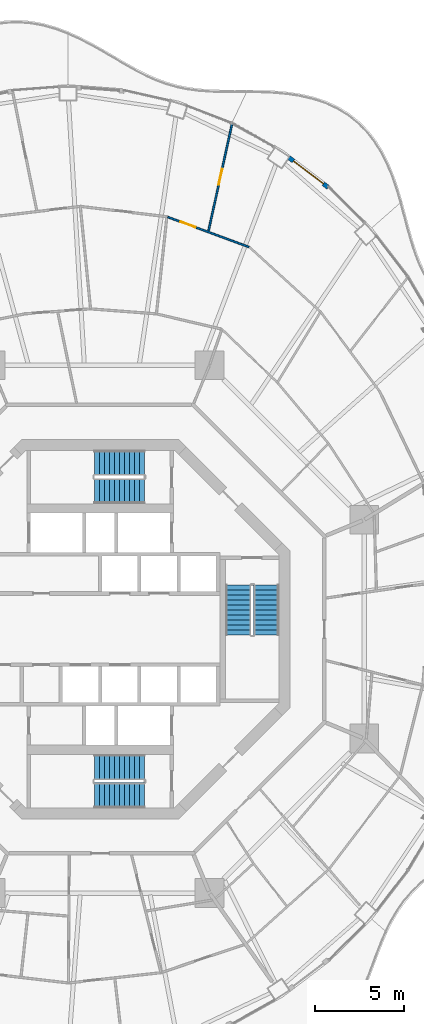
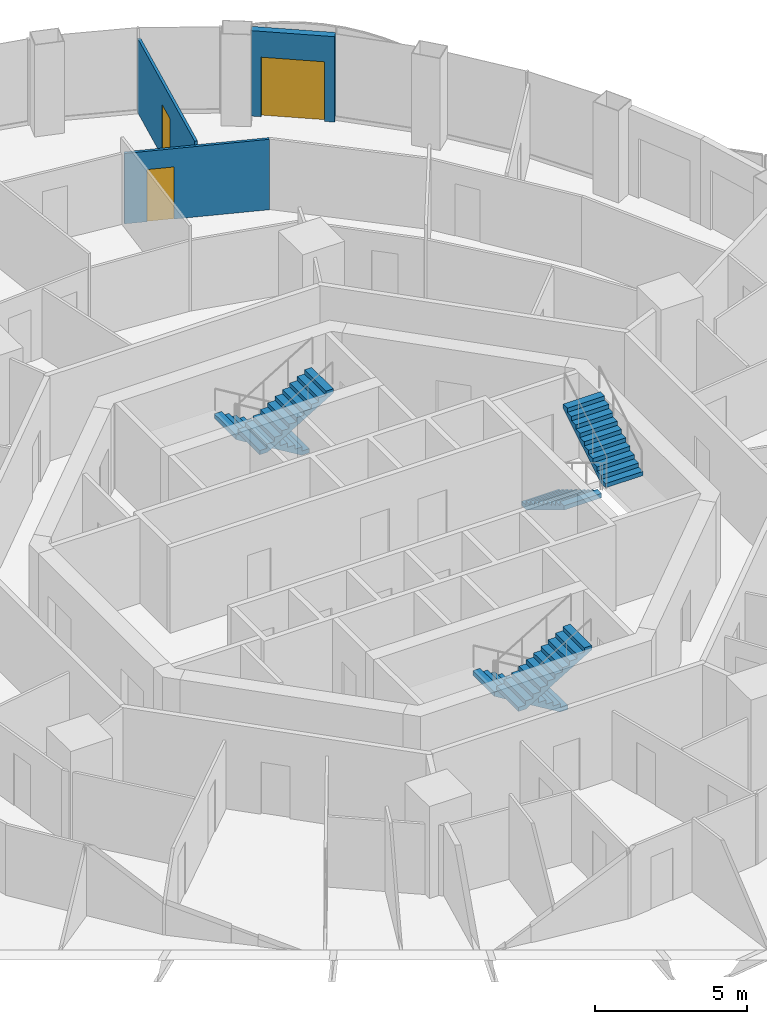
# One storey, part 15 of 18: 6 stair flights, 3 doors, 3 walls, 3 openings, 3 elements without a shape of their own.
"""IFC4 building model written with IfcOpenShell, lengths in metres."""

from ifc_helpers import new_model, si_unit, direction, frame, frame_2d, origin, place, context, subcontext, project, spatial, polyline, rectangle, outline, extrude, material, layer, layer_set, type_object, element, fill, aggregate, save


model = new_model("IFC4")

# Units and contexts
model_context = context("Model", 3, precision=1e-05, world=origin(), true_north=direction((0.0, 1.0)))
body_context = subcontext(model_context, "Body", "Model", "MODEL_VIEW")
ifc_project = project(units=[si_unit("LENGTHUNIT", "METRE"), si_unit("AREAUNIT", "SQUARE_METRE"), si_unit("VOLUMEUNIT", "CUBIC_METRE"), si_unit("PLANEANGLEUNIT", "RADIAN"), si_unit("MASSUNIT", "GRAM", prefix="KILO")], contexts=[model_context])

# Site, building, storey
site_placement = place(None, origin())
site = spatial("IfcSite", under=ifc_project, at=site_placement, CompositionType="ELEMENT")
building_placement = place(site_placement, origin())
building = spatial("IfcBuilding", under=site, at=building_placement, Name="Nagisa Residences", CompositionType="ELEMENT")
storey_placement = place(building_placement, frame((0.0, 0.0, 230.699951171875)))
storey = spatial("IfcBuildingStorey", under=building, at=storey_placement, Name="L58", CompositionType="ELEMENT", Elevation=230.699951171875)

# Wall, opening, door
ifc_material_1 = material(Name="Gypsum board on steel studs", Category="steel")
ifc_layer_1 = layer(ifc_material_1, 0.10009765625)
ifc_layer_set_1 = layer_set([ifc_layer_1], Name="Apartment partition 100")
wall_type_1 = type_object("IfcWallType", Name="Apartment partition 100", PredefinedType="PARTITIONING", material=ifc_layer_set_1)
wall_1_placement = place(storey_placement, frame((8.3310546875, 21.410888671875, 0.0), z_axis=(0.0, 0.0, 1.0), x_axis=(-0.937891982431, 0.346927412136, 0.0)))
wall_1 = element("IfcWall", 1, at=wall_1_placement, inside=storey, type_object=wall_type_1, Name="wall:L58:u35", PredefinedType="PARTITIONING", context=body_context, shape_type="SweptSolid", body=[
    extrude(rectangle(XDim=4.85009765625, YDim=0.10009765625, at=frame_2d((2.425048828125, 0.0))), origin(), (0.0, 0.0, 1.0), 2.837158203125),
])
opening_1_placement = place(wall_1_placement, frame((3.1875, 0.0, 0.0)))
opening_1 = element("IfcOpeningElement", 2, at=opening_1_placement, cuts=wall_1, Name="Opening L58-U48", PredefinedType="OPENING", context=body_context, shape_type="SweptSolid", body=[
    extrude(rectangle(XDim=0.89990234375, YDim=2.10009765625, at=frame_2d((0.449951171875, 1.050048828125))), frame((0.0, 0.06005859375, 0.0), z_axis=(0.0, -1.0, 0.0), x_axis=(1.0, 0.0, 0.0)), (0.0, 0.0, 1.0), 0.1201171875),
])
ifc_material_2 = material(Name="Timber door set", Category="wood")
door_type_1 = type_object("IfcDoorType", Name="Apartment door 900x2100", OperationType="NOTDEFINED", PredefinedType="DOOR", material=ifc_material_2)
door_1_placement = place(opening_1_placement, origin())
door_1 = element("IfcDoor", 3, at=door_1_placement, inside=storey, type_object=door_type_1, Name="Door to kitchen, Apartment 58E", OperationType="SINGLE_SWING_RIGHT", OverallHeight=2.10009765625, OverallWidth=0.89990234375, PredefinedType="DOOR", context=body_context, shape_type="SweptSolid", body=[
    extrude(rectangle(XDim=0.89990234375, YDim=2.10009765625, at=frame_2d((0.449951171875, 1.050048828125))), frame((0.0, 0.02490234375, 0.0), z_axis=(0.0, -1.0, 0.0), x_axis=(1.0, 0.0, 0.0)), (0.0, 0.0, 1.0), 0.050048828125),
])
fill(opening_1, door_1)

wall_2_placement = place(storey_placement, frame((6.0673828125, 22.301025390625, 0.0), z_axis=(0.0, 0.0, 1.0), x_axis=(0.214401821533, 0.976745544614, 0.0)))
wall_2 = element("IfcWall", 4, at=wall_2_placement, inside=storey, type_object=wall_type_1, Name="wall:L58:u36", PredefinedType="PARTITIONING", context=body_context, shape_type="SweptSolid", body=[
    extrude(rectangle(XDim=6.2275390625, YDim=0.10009765625, at=frame_2d((3.11376953125, 0.0))), origin(), (0.0, 0.0, 1.0), 2.983154296875),
])
opening_2_placement = place(wall_2_placement, frame((2.663818359375, 0.0, 0.0)))
opening_2 = element("IfcOpeningElement", 5, at=opening_2_placement, cuts=wall_2, Name="Opening L58-U51", PredefinedType="OPENING", context=body_context, shape_type="SweptSolid", body=[
    extrude(rectangle(XDim=0.89990234375, YDim=2.10009765625, at=frame_2d((0.449951171875, 1.050048828125))), frame((0.0, 0.06005859375, 0.0), z_axis=(0.0, -1.0, 0.0), x_axis=(1.0, 0.0, 0.0)), (0.0, 0.0, 1.0), 0.1201171875),
])
door_2_placement = place(opening_2_placement, frame((0.89990234375, 0.0, 0.0), x_axis=(-1.0, 0.0, 0.0)))
door_2 = element("IfcDoor", 6, at=door_2_placement, inside=storey, type_object=door_type_1, Name="Door to living room, Apartment 58E", OperationType="SINGLE_SWING_RIGHT", OverallHeight=2.10009765625, OverallWidth=0.89990234375, PredefinedType="DOOR", context=body_context, shape_type="SweptSolid", body=[
    extrude(rectangle(XDim=0.89990234375, YDim=2.10009765625, at=frame_2d((0.449951171875, 1.050048828125))), frame((0.0, 0.02490234375, 0.0), z_axis=(0.0, -1.0, 0.0), x_axis=(1.0, 0.0, 0.0)), (0.0, 0.0, 1.0), 0.050048828125),
])
fill(opening_2, door_2)

ifc_material_3 = material(Name="Precast concrete C40/50", Category="concrete")
ifc_layer_2 = layer(ifc_material_3, 0.25)
ifc_layer_set_2 = layer_set([ifc_layer_2], Name="BALCONY DOOR WALL 250")
wall_type_2 = type_object("IfcWallType", Name="BALCONY DOOR WALL 250", PredefinedType="SOLIDWALL", material=ifc_layer_set_2)
wall_3_placement = place(storey_placement, frame((10.557373046875, 26.43603515625, 0.0), z_axis=(0.0, 0.0, 1.0), x_axis=(0.796022158395, -0.605267480825, 0.0)))
wall_3 = element("IfcWall", 7, at=wall_3_placement, inside=storey, type_object=wall_type_2, Name="wall:L58:bay07", PredefinedType="SOLIDWALL", context=body_context, shape_type="SweptSolid", body=[
    extrude(rectangle(XDim=2.788818359375, YDim=0.25, at=frame_2d((1.39453125, 0.0))), origin(), (0.0, 0.0, 1.0), 3.43994140625),
])
opening_3_placement = place(wall_3_placement, frame((0.34423828125, 0.0, 0.0)))
opening_3 = element("IfcOpeningElement", 8, at=opening_3_placement, cuts=wall_3, Name="Opening BD-L58-03", PredefinedType="OPENING", context=body_context, shape_type="SweptSolid", body=[
    extrude(rectangle(XDim=2.10009765625, YDim=2.39990234375, at=frame_2d((1.050048828125, 1.199951171875))), frame((0.0, 0.135009765625, 0.0), z_axis=(0.0, -1.0, 0.0), x_axis=(1.0, 0.0, 0.0)), (0.0, 0.0, 1.0), 0.27001953125),
])
ifc_material_4 = material(Name="Aluminium and clear glass", Category="aluminium")
door_type_2 = type_object("IfcDoorType", Name="BALCONY SLIDING DOOR 2100x2400", OperationType="SLIDING_TO_LEFT", PredefinedType="DOOR", material=ifc_material_4)
door_3_placement = place(opening_3_placement, origin())
door_3 = element("IfcDoor", 9, at=door_3_placement, inside=storey, type_object=door_type_2, Name="door:L58:bay07", OperationType="SLIDING_TO_LEFT", OverallHeight=2.39990234375, OverallWidth=2.10009765625, PredefinedType="DOOR", context=body_context, shape_type="SweptSolid", body=[
    extrude(rectangle(XDim=2.10009765625, YDim=2.39990234375, at=frame_2d((1.050048828125, 1.199951171875))), frame((0.0, 0.02490234375, 0.0), z_axis=(0.0, -1.0, 0.0), x_axis=(1.0, 0.0, 0.0)), (0.0, 0.0, 1.0), 0.050048828125),
])
fill(opening_3, door_3)

# Stair, stair flights
ifc_material_5 = material(Name="Concrete C60", Category="concrete")
stair_type = type_object("IfcStairType", Name="Exit stair", PredefinedType="HALF_TURN_STAIR", material=ifc_material_5)
stair_1_placement = place(storey_placement, origin())
stair_1 = element("IfcStair", 10, at=stair_1_placement, inside=storey, type_object=stair_type, Name="L58 Exit stair E", PredefinedType="HALF_TURN_STAIR")
ifc_material_6 = material(Name="Concrete C60", Category="concrete")
stair_flight_type = type_object("IfcStairFlightType", Name="Exit stair flight", PredefinedType="STRAIGHT", material=ifc_material_6)
stair_flight_1_placement = place(storey_placement, frame((7.737060546875, 2.47509765625, 0.0), z_axis=(0.0, 0.0, 1.0), x_axis=(0.0, -1.0, 0.0)))
stair_flight_1 = element("IfcStairFlight", 11, at=stair_flight_1_placement, type_object=stair_flight_type, Name="ST-E flight 1", NumberOfRisers=11, NumberOfTreads=10, PredefinedType="STRAIGHT", RiserHeight=0.168181818, TreadLength=0.28, context=body_context, shape_type="SweptSolid", body=[
    extrude(outline(polyline([(0.0, 0.0), (0.0, 0.168212890625), (0.280029296875, 0.168212890625), (0.280029296875, 0.33642578125), (0.56005859375, 0.33642578125), (0.56005859375, 0.504638671875), (0.840087890625, 0.504638671875), (0.840087890625, 0.672607421875), (1.1201171875, 0.672607421875), (1.1201171875, 0.8408203125), (1.39990234375, 0.8408203125), (1.39990234375, 1.009033203125), (1.679931640625, 1.009033203125), (1.679931640625, 1.17724609375), (1.9599609375, 1.17724609375), (1.9599609375, 1.345458984375), (2.239990234375, 1.345458984375), (2.239990234375, 1.513671875), (2.52001953125, 1.513671875), (2.52001953125, 1.681884765625), (2.800048828125, 1.681884765625), (2.800048828125, 1.85009765625), (2.800048828125, 1.5068359375), (0.291015625, 0.0), (0.0, 0.0)])), frame((0.0, 0.71240234375, 0.0), z_axis=(0.0, -1.0, 0.0), x_axis=(1.0, 0.0, 0.0)), (0.0, 0.0, 1.0), 1.425048828125),
])
stair_flight_2_placement = place(storey_placement, frame((9.31201171875, -0.324951171875, 1.85009765625), z_axis=(0.0, 0.0, 1.0), x_axis=(0.0, 1.0, 0.0)))
stair_flight_2 = element("IfcStairFlight", 12, at=stair_flight_2_placement, type_object=stair_flight_type, Name="ST-E flight 2", NumberOfRisers=11, NumberOfTreads=10, PredefinedType="STRAIGHT", RiserHeight=0.168181818, TreadLength=0.28, context=body_context, shape_type="SweptSolid", body=[
    extrude(outline(polyline([(0.0, 0.0), (0.0, 0.168212890625), (0.280029296875, 0.168212890625), (0.280029296875, 0.33642578125), (0.56005859375, 0.33642578125), (0.56005859375, 0.504638671875), (0.840087890625, 0.504638671875), (0.840087890625, 0.672607421875), (1.1201171875, 0.672607421875), (1.1201171875, 0.8408203125), (1.39990234375, 0.8408203125), (1.39990234375, 1.009033203125), (1.679931640625, 1.009033203125), (1.679931640625, 1.17724609375), (1.9599609375, 1.17724609375), (1.9599609375, 1.345458984375), (2.239990234375, 1.345458984375), (2.239990234375, 1.513671875), (2.52001953125, 1.513671875), (2.52001953125, 1.681884765625), (2.800048828125, 1.681884765625), (2.800048828125, 1.85009765625), (2.800048828125, 1.5068359375), (0.291015625, 0.0), (0.0, 0.0)])), frame((0.0, 0.71240234375, 0.0), z_axis=(0.0, -1.0, 0.0), x_axis=(1.0, 0.0, 0.0)), (0.0, 0.0, 1.0), 1.425048828125),
])
aggregate(stair_1, [stair_flight_1, stair_flight_2])

stair_2_placement = place(storey_placement, origin())
stair_2 = element("IfcStair", 13, at=stair_2_placement, inside=storey, type_object=stair_type, Name="L58 Exit stair N", PredefinedType="HALF_TURN_STAIR")
stair_flight_3_placement = place(storey_placement, frame((2.47509765625, 9.31201171875, 0.0), z_axis=(0.0, 0.0, 1.0), x_axis=(-1.0, 0.0, 0.0)))
stair_flight_3 = element("IfcStairFlight", 14, at=stair_flight_3_placement, type_object=stair_flight_type, Name="ST-N flight 1", NumberOfRisers=11, NumberOfTreads=10, PredefinedType="STRAIGHT", RiserHeight=0.168181818, TreadLength=0.28, context=body_context, shape_type="SweptSolid", body=[
    extrude(outline(polyline([(0.0, 0.0), (0.0, 0.168212890625), (0.280029296875, 0.168212890625), (0.280029296875, 0.33642578125), (0.56005859375, 0.33642578125), (0.56005859375, 0.504638671875), (0.840087890625, 0.504638671875), (0.840087890625, 0.672607421875), (1.1201171875, 0.672607421875), (1.1201171875, 0.8408203125), (1.39990234375, 0.8408203125), (1.39990234375, 1.009033203125), (1.679931640625, 1.009033203125), (1.679931640625, 1.17724609375), (1.9599609375, 1.17724609375), (1.9599609375, 1.345458984375), (2.239990234375, 1.345458984375), (2.239990234375, 1.513671875), (2.52001953125, 1.513671875), (2.52001953125, 1.681884765625), (2.800048828125, 1.681884765625), (2.800048828125, 1.85009765625), (2.800048828125, 1.5068359375), (0.291015625, 0.0), (0.0, 0.0)])), frame((0.0, 0.71240234375, 0.0), z_axis=(0.0, -1.0, 0.0), x_axis=(1.0, 0.0, 0.0)), (0.0, 0.0, 1.0), 1.425048828125),
])
stair_flight_4_placement = place(storey_placement, frame((-0.324951171875, 7.737060546875, 1.85009765625), z_axis=(0.0, 0.0, 1.0), x_axis=(1.0, 0.0, 0.0)))
stair_flight_4 = element("IfcStairFlight", 15, at=stair_flight_4_placement, type_object=stair_flight_type, Name="ST-N flight 2", NumberOfRisers=11, NumberOfTreads=10, PredefinedType="STRAIGHT", RiserHeight=0.168181818, TreadLength=0.28, context=body_context, shape_type="SweptSolid", body=[
    extrude(outline(polyline([(0.0, 0.0), (0.0, 0.168212890625), (0.280029296875, 0.168212890625), (0.280029296875, 0.33642578125), (0.56005859375, 0.33642578125), (0.56005859375, 0.504638671875), (0.840087890625, 0.504638671875), (0.840087890625, 0.672607421875), (1.1201171875, 0.672607421875), (1.1201171875, 0.8408203125), (1.39990234375, 0.8408203125), (1.39990234375, 1.009033203125), (1.679931640625, 1.009033203125), (1.679931640625, 1.17724609375), (1.9599609375, 1.17724609375), (1.9599609375, 1.345458984375), (2.239990234375, 1.345458984375), (2.239990234375, 1.513671875), (2.52001953125, 1.513671875), (2.52001953125, 1.681884765625), (2.800048828125, 1.681884765625), (2.800048828125, 1.85009765625), (2.800048828125, 1.5068359375), (0.291015625, 0.0), (0.0, 0.0)])), frame((0.0, 0.71240234375, 0.0), z_axis=(0.0, -1.0, 0.0), x_axis=(1.0, 0.0, 0.0)), (0.0, 0.0, 1.0), 1.425048828125),
])
aggregate(stair_2, [stair_flight_3, stair_flight_4])

stair_3_placement = place(storey_placement, origin())
stair_3 = element("IfcStair", 16, at=stair_3_placement, inside=storey, type_object=stair_type, Name="L58 Exit stair S", PredefinedType="HALF_TURN_STAIR")
stair_flight_5_placement = place(storey_placement, frame((2.47509765625, -7.737060546875, 0.0), z_axis=(0.0, 0.0, 1.0), x_axis=(-1.0, 0.0, 0.0)))
stair_flight_5 = element("IfcStairFlight", 17, at=stair_flight_5_placement, type_object=stair_flight_type, Name="ST-S flight 1", NumberOfRisers=11, NumberOfTreads=10, PredefinedType="STRAIGHT", RiserHeight=0.168181818, TreadLength=0.28, context=body_context, shape_type="SweptSolid", body=[
    extrude(outline(polyline([(0.0, 0.0), (0.0, 0.168212890625), (0.280029296875, 0.168212890625), (0.280029296875, 0.33642578125), (0.56005859375, 0.33642578125), (0.56005859375, 0.504638671875), (0.840087890625, 0.504638671875), (0.840087890625, 0.672607421875), (1.1201171875, 0.672607421875), (1.1201171875, 0.8408203125), (1.39990234375, 0.8408203125), (1.39990234375, 1.009033203125), (1.679931640625, 1.009033203125), (1.679931640625, 1.17724609375), (1.9599609375, 1.17724609375), (1.9599609375, 1.345458984375), (2.239990234375, 1.345458984375), (2.239990234375, 1.513671875), (2.52001953125, 1.513671875), (2.52001953125, 1.681884765625), (2.800048828125, 1.681884765625), (2.800048828125, 1.85009765625), (2.800048828125, 1.5068359375), (0.291015625, 0.0), (0.0, 0.0)])), frame((0.0, 0.71240234375, 0.0), z_axis=(0.0, -1.0, 0.0), x_axis=(1.0, 0.0, 0.0)), (0.0, 0.0, 1.0), 1.425048828125),
])
stair_flight_6_placement = place(storey_placement, frame((-0.324951171875, -9.31201171875, 1.85009765625), z_axis=(0.0, 0.0, 1.0), x_axis=(1.0, 0.0, 0.0)))
stair_flight_6 = element("IfcStairFlight", 18, at=stair_flight_6_placement, type_object=stair_flight_type, Name="ST-S flight 2", NumberOfRisers=11, NumberOfTreads=10, PredefinedType="STRAIGHT", RiserHeight=0.168181818, TreadLength=0.28, context=body_context, shape_type="SweptSolid", body=[
    extrude(outline(polyline([(0.0, 0.0), (0.0, 0.168212890625), (0.280029296875, 0.168212890625), (0.280029296875, 0.33642578125), (0.56005859375, 0.33642578125), (0.56005859375, 0.504638671875), (0.840087890625, 0.504638671875), (0.840087890625, 0.672607421875), (1.1201171875, 0.672607421875), (1.1201171875, 0.8408203125), (1.39990234375, 0.8408203125), (1.39990234375, 1.009033203125), (1.679931640625, 1.009033203125), (1.679931640625, 1.17724609375), (1.9599609375, 1.17724609375), (1.9599609375, 1.345458984375), (2.239990234375, 1.345458984375), (2.239990234375, 1.513671875), (2.52001953125, 1.513671875), (2.52001953125, 1.681884765625), (2.800048828125, 1.681884765625), (2.800048828125, 1.85009765625), (2.800048828125, 1.5068359375), (0.291015625, 0.0), (0.0, 0.0)])), frame((0.0, 0.71240234375, 0.0), z_axis=(0.0, -1.0, 0.0), x_axis=(1.0, 0.0, 0.0)), (0.0, 0.0, 1.0), 1.425048828125),
])
aggregate(stair_3, [stair_flight_5, stair_flight_6])

save(model, "model.ifc")
